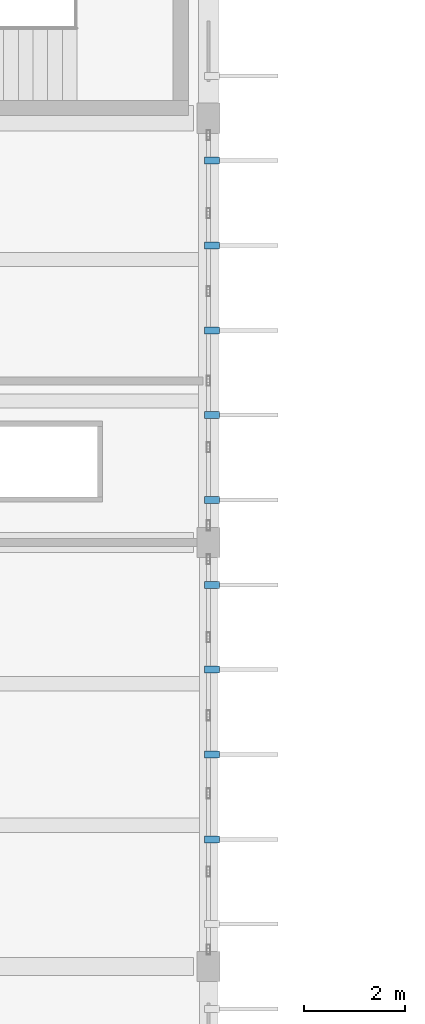
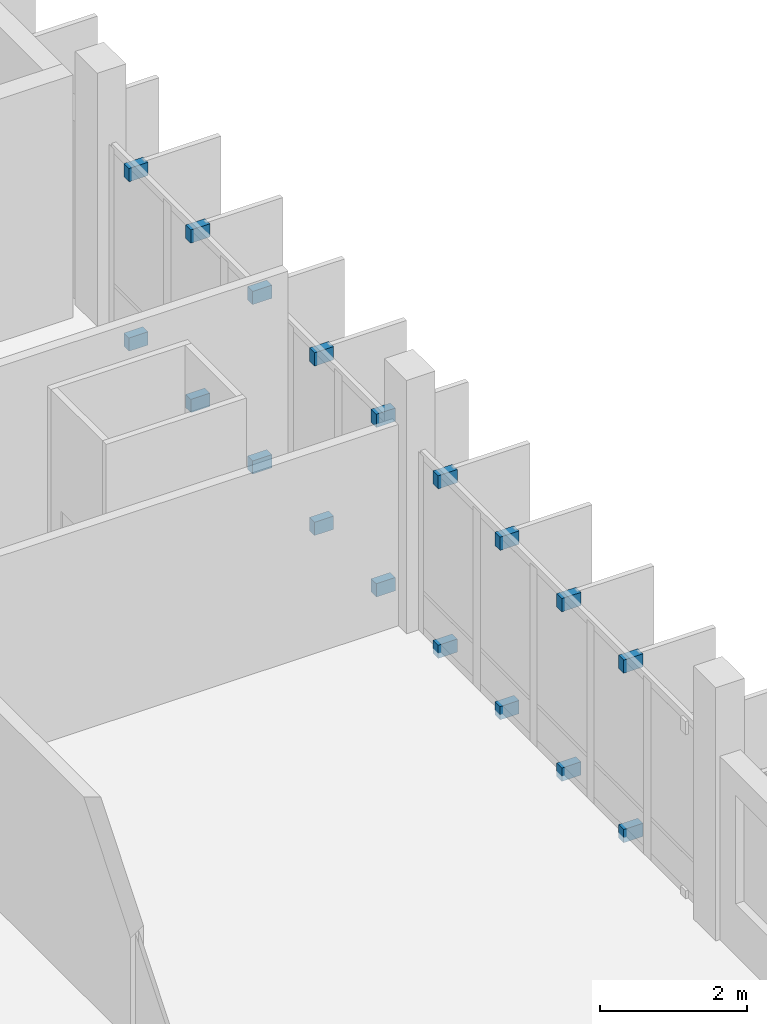
# One storey, part 100 of 107: 18 discrete accessories.
"""IFC4 building model written with IfcOpenShell, lengths in metres."""

from ifc_helpers import new_model, si_unit, direction, frame, origin, origin_2d, place, context, subcontext, project, spatial, rectangle, extrude, material, type_object, element, save


model = new_model("IFC4")

# Units and contexts
model_context = context("Model", 3, precision=1e-05, world=origin(), true_north=direction((0.0, 1.0)))
body_context = subcontext(model_context, "Body", "Model", "MODEL_VIEW")
ifc_project = project(units=[si_unit("LENGTHUNIT", "METRE"), si_unit("AREAUNIT", "SQUARE_METRE"), si_unit("VOLUMEUNIT", "CUBIC_METRE"), si_unit("PLANEANGLEUNIT", "RADIAN"), si_unit("MASSUNIT", "GRAM", prefix="KILO")], contexts=[model_context])

# Site, building, storey
site_placement = place(None, origin())
site = spatial("IfcSite", under=ifc_project, at=site_placement, CompositionType="ELEMENT")
building_placement = place(site_placement, origin())
building = spatial("IfcBuilding", under=site, at=building_placement, Name="Vireocrest Preparatory School", CompositionType="ELEMENT")
storey_placement = place(building_placement, frame((0.0, 0.0, 13.199951171875)))
storey = spatial("IfcBuildingStorey", under=building, at=storey_placement, Name="L03", CompositionType="ELEMENT", Elevation=13.199951171875)

# Discrete accessories
ifc_material = material(Name="Structural steel ASTM A572 Grade 50", Category="steel")
discrete_accessory_type = type_object("IfcDiscreteAccessoryType", Name="Slab-Edge Steel Outrigger Fin Bracket", PredefinedType="BRACKET", material=ifc_material)
for number, where, z_axis, x_axis, name in (
    (1, (109.27001953125, 63.1201171875, -0.08984375), (0.0, 0.0, 1.0), (0.0, -1.0, 0.0), "Solar Fin Outrigger Bracket BK1 L03-49-2-BOT"),
    (2, (109.27001953125, 63.1201171875, 2.72021484375), (0.0, 0.0, 1.0), (0.0, -1.0, 0.0), "Solar Fin Outrigger Bracket BK1 L03-49-2-TOP"),
    (3, (109.27001953125, 64.800048828125, -0.08984375), (0.0, 0.0, 1.0), (0.0, -1.0, 0.0), "Solar Fin Outrigger Bracket BK1 L03-49-3-BOT"),
    (4, (109.27001953125, 64.800048828125, 2.72021484375), (0.0, 0.0, 1.0), (0.0, -1.0, 0.0), "Solar Fin Outrigger Bracket BK1 L03-49-3-TOP"),
    (5, (109.27001953125, 66.47998046875, -0.08984375), (0.0, 0.0, 1.0), (0.0, -1.0, 0.0), "Solar Fin Outrigger Bracket BK1 L03-49-4-BOT"),
    (6, (109.27001953125, 66.47998046875, 2.72021484375), (0.0, 0.0, 1.0), (0.0, -1.0, 0.0), "Solar Fin Outrigger Bracket BK1 L03-49-4-TOP"),
    (7, (109.27001953125, 68.159912109375, -0.08984375), (0.0, 0.0, 1.0), (0.0, -1.0, 0.0), "Solar Fin Outrigger Bracket BK1 L03-49-5-BOT"),
    (8, (109.27001953125, 68.159912109375, 2.72021484375), (0.0, 0.0, 1.0), (0.0, -1.0, 0.0), "Solar Fin Outrigger Bracket BK1 L03-49-5-TOP"),
    (9, (109.27001953125, 69.840087890625, -0.08984375), (0.0, 0.0, 1.0), (0.0, -1.0, 0.0), "Solar Fin Outrigger Bracket BK1 L03-50-1-BOT"),
    (10, (109.27001953125, 69.840087890625, 2.72021484375), (0.0, 0.0, 1.0), (0.0, -1.0, 0.0), "Solar Fin Outrigger Bracket BK1 L03-50-1-TOP"),
    (11, (109.27001953125, 71.52001953125, -0.08984375), (0.0, 0.0, 1.0), (0.0, -1.0, 0.0), "Solar Fin Outrigger Bracket BK1 L03-50-2-BOT"),
    (12, (109.27001953125, 71.52001953125, 2.72021484375), (0.0, 0.0, 1.0), (0.0, -1.0, 0.0), "Solar Fin Outrigger Bracket BK1 L03-50-2-TOP"),
    (13, (109.27001953125, 73.199951171875, -0.08984375), (0.0, 0.0, 1.0), (0.0, -1.0, 0.0), "Solar Fin Outrigger Bracket BK1 L03-50-3-BOT"),
    (14, (109.27001953125, 73.199951171875, 2.72021484375), (0.0, 0.0, 1.0), (0.0, -1.0, 0.0), "Solar Fin Outrigger Bracket BK1 L03-50-3-TOP"),
    (15, (109.27001953125, 74.8798828125, -0.08984375), (0.0, 0.0, 1.0), (0.0, -1.0, 0.0), "Solar Fin Outrigger Bracket BK1 L03-50-4-BOT"),
    (16, (109.27001953125, 74.8798828125, 2.72021484375), (0.0, 0.0, 1.0), (0.0, -1.0, 0.0), "Solar Fin Outrigger Bracket BK1 L03-50-4-TOP"),
    (17, (109.27001953125, 76.56005859375, -0.08984375), (0.0, 0.0, 1.0), (0.0, -1.0, 0.0), "Solar Fin Outrigger Bracket BK1 L03-50-5-BOT"),
    (18, (109.27001953125, 76.56005859375, 2.72021484375), (0.0, 0.0, 1.0), (0.0, -1.0, 0.0), "Solar Fin Outrigger Bracket BK1 L03-50-5-TOP"),
):
    element("IfcDiscreteAccessory", number, at=place(storey_placement, frame(where, z_axis=z_axis, x_axis=x_axis)), inside=storey, type_object=discrete_accessory_type, Name=name, PredefinedType="BRACKET", context=body_context, shape_type="SweptSolid", body=[
        extrude(rectangle(XDim=0.139892578125, YDim=0.300048828125, at=origin_2d()), origin(), (0.0, 0.0, 1.0), 0.219970703125),
    ])

save(model, "model.ifc")
